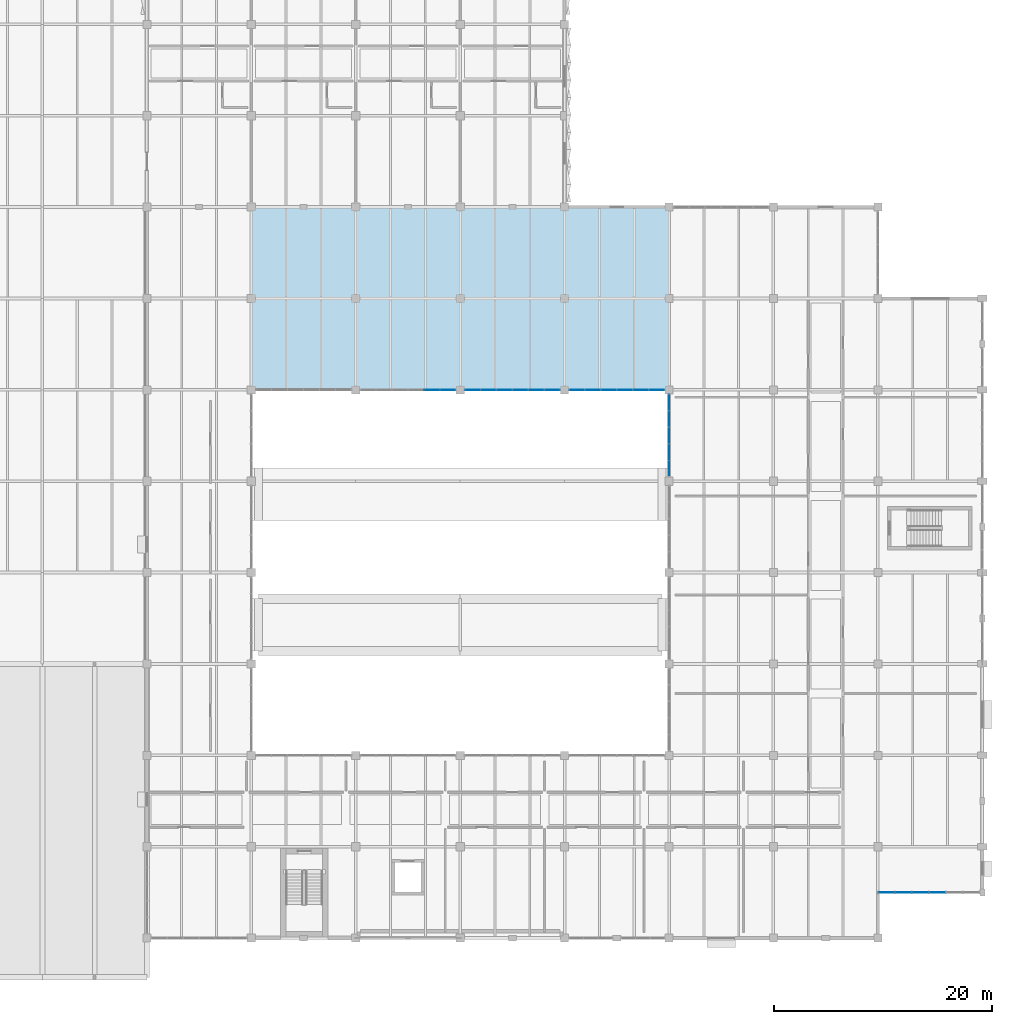
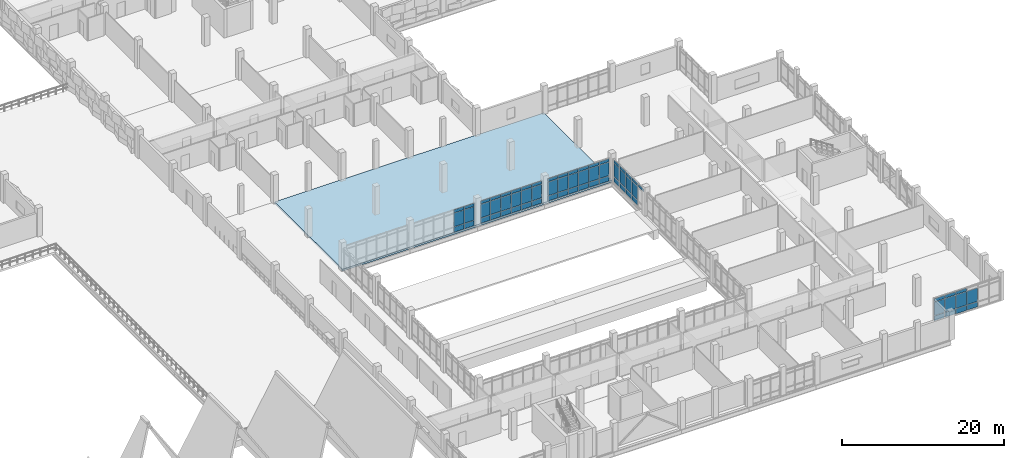
# One storey, part 44 of 86: 66 plates, 1 slab, 5 elements without a shape of their own.
"""IFC4 building model written with IfcOpenShell, lengths in metres."""

from ifc_helpers import new_model, si_unit, direction, frame, origin, origin_2d, place, context, subcontext, project, spatial, polyline, rectangle, outline, extrude, material, layer, layer_set, type_object, element, aggregate, save


model = new_model("IFC4")

# Units and contexts
model_context = context("Model", 3, precision=1e-05, world=origin(), true_north=direction((0.0, 1.0)))
body_context = subcontext(model_context, "Body", "Model", "MODEL_VIEW")
ifc_project = project(units=[si_unit("LENGTHUNIT", "METRE"), si_unit("AREAUNIT", "SQUARE_METRE"), si_unit("VOLUMEUNIT", "CUBIC_METRE"), si_unit("PLANEANGLEUNIT", "RADIAN"), si_unit("MASSUNIT", "GRAM", prefix="KILO")], contexts=[model_context])

# Site, building, storey
site_placement = place(None, origin())
site = spatial("IfcSite", under=ifc_project, at=site_placement, CompositionType="ELEMENT")
building_placement = place(site_placement, origin())
building = spatial("IfcBuilding", under=site, at=building_placement, Name="Oolite Switchyard Hospital", CompositionType="ELEMENT")
storey_placement = place(building_placement, frame((0.0, 0.0, 13.5)))
storey = spatial("IfcBuildingStorey", under=building, at=storey_placement, Name="L03", CompositionType="ELEMENT", Elevation=13.5)

# Curtain wall, plates
ifc_material_1 = material(Name="Thermally broken aluminum frame with laminated impact glazing", Category="aluminium")
curtain_wall_type_1 = type_object("IfcCurtainWallType", Name="CW-UNIT-96X43", PredefinedType="USERDEFINED", material=ifc_material_1)
curtain_wall_1_placement = place(storey_placement, origin())
curtain_wall_1 = element("IfcCurtainWall", 1, at=curtain_wall_1_placement, inside=storey, type_object=curtain_wall_type_1, Name="L03 Unitised Curtain Wall 337", ObjectType="UNITISED", PredefinedType="USERDEFINED")
ifc_material_2 = material(Name="Insulated fluoropolymer-coated aluminum spandrel panel", Category="aluminium")
ifc_layer_1 = layer(ifc_material_2, 0.054931640625)
ifc_layer_set_1 = layer_set([ifc_layer_1], Name="CW-PNL-SPN55")
plate_type_1 = type_object("IfcPlateType", Name="CW-PNL-SPN55", PredefinedType="CURTAIN_PANEL", material=ifc_layer_set_1)
plate_1_placement = place(storey_placement, frame((181.257568359375, 58.800048828125, 0.0751953125), z_axis=(0.0, 0.0, 1.0), x_axis=(-1.0, 0.0, 0.0)))
plate_1 = element("IfcPlate", 2, at=plate_1_placement, type_object=plate_type_1, Name="CW-04 panel 1.1", PredefinedType="CURTAIN_PANEL", context=body_context, shape_type="SweptSolid", body=[
    extrude(rectangle(XDim=1.364990234375, YDim=0.054931640625, at=origin_2d()), origin(), (0.0, 0.0, 1.0), 0.737548828125),
])
plate_2_placement = place(storey_placement, frame((181.257568359375, 58.800048828125, 0.8876953125), z_axis=(0.0, 0.0, 1.0), x_axis=(-1.0, 0.0, 0.0)))
plate_2 = element("IfcPlate", 3, at=plate_2_placement, type_object=plate_type_1, Name="CW-04 panel 1.2", PredefinedType="CURTAIN_PANEL", context=body_context, shape_type="SweptSolid", body=[
    extrude(rectangle(XDim=1.364990234375, YDim=0.054931640625, at=origin_2d()), origin(), (0.0, 0.0, 1.0), 2.014892578125),
])
plate_3_placement = place(storey_placement, frame((181.257568359375, 58.800048828125, 2.9775390625), z_axis=(0.0, 0.0, 1.0), x_axis=(-1.0, 0.0, 0.0)))
plate_3 = element("IfcPlate", 4, at=plate_3_placement, type_object=plate_type_1, Name="CW-04 panel 1.3", PredefinedType="CURTAIN_PANEL", context=body_context, shape_type="SweptSolid", body=[
    extrude(rectangle(XDim=1.364990234375, YDim=0.054931640625, at=origin_2d()), origin(), (0.0, 0.0, 1.0), 0.4375),
])
plate_4_placement = place(storey_placement, frame((179.804931640625, 58.800048828125, 0.0751953125), z_axis=(0.0, 0.0, 1.0), x_axis=(-1.0, 0.0, 0.0)))
plate_4 = element("IfcPlate", 5, at=plate_4_placement, type_object=plate_type_1, Name="CW-04 panel 2.1", PredefinedType="CURTAIN_PANEL", context=body_context, shape_type="SweptSolid", body=[
    extrude(rectangle(XDim=1.39990234375, YDim=0.054931640625, at=origin_2d()), origin(), (0.0, 0.0, 1.0), 0.737548828125),
])
plate_5_placement = place(storey_placement, frame((179.804931640625, 58.800048828125, 0.8876953125), z_axis=(0.0, 0.0, 1.0), x_axis=(-1.0, 0.0, 0.0)))
plate_5 = element("IfcPlate", 6, at=plate_5_placement, type_object=plate_type_1, Name="CW-04 panel 2.2", PredefinedType="CURTAIN_PANEL", context=body_context, shape_type="SweptSolid", body=[
    extrude(rectangle(XDim=1.39990234375, YDim=0.054931640625, at=origin_2d()), origin(), (0.0, 0.0, 1.0), 2.014892578125),
])
plate_6_placement = place(storey_placement, frame((179.804931640625, 58.800048828125, 2.9775390625), z_axis=(0.0, 0.0, 1.0), x_axis=(-1.0, 0.0, 0.0)))
plate_6 = element("IfcPlate", 7, at=plate_6_placement, type_object=plate_type_1, Name="CW-04 panel 2.3", PredefinedType="CURTAIN_PANEL", context=body_context, shape_type="SweptSolid", body=[
    extrude(rectangle(XDim=1.39990234375, YDim=0.054931640625, at=origin_2d()), origin(), (0.0, 0.0, 1.0), 0.4375),
])
plate_7_placement = place(storey_placement, frame((178.3349609375, 58.800048828125, 0.0751953125), z_axis=(0.0, 0.0, 1.0), x_axis=(-1.0, 0.0, 0.0)))
plate_7 = element("IfcPlate", 8, at=plate_7_placement, type_object=plate_type_1, Name="CW-04 panel 3.1", PredefinedType="CURTAIN_PANEL", context=body_context, shape_type="SweptSolid", body=[
    extrude(rectangle(XDim=1.39990234375, YDim=0.054931640625, at=origin_2d()), origin(), (0.0, 0.0, 1.0), 0.737548828125),
])
plate_8_placement = place(storey_placement, frame((178.3349609375, 58.800048828125, 0.8876953125), z_axis=(0.0, 0.0, 1.0), x_axis=(-1.0, 0.0, 0.0)))
plate_8 = element("IfcPlate", 9, at=plate_8_placement, type_object=plate_type_1, Name="CW-04 panel 3.2", PredefinedType="CURTAIN_PANEL", context=body_context, shape_type="SweptSolid", body=[
    extrude(rectangle(XDim=1.39990234375, YDim=0.054931640625, at=origin_2d()), origin(), (0.0, 0.0, 1.0), 2.014892578125),
])
plate_9_placement = place(storey_placement, frame((178.3349609375, 58.800048828125, 2.9775390625), z_axis=(0.0, 0.0, 1.0), x_axis=(-1.0, 0.0, 0.0)))
plate_9 = element("IfcPlate", 10, at=plate_9_placement, type_object=plate_type_1, Name="CW-04 panel 3.3", PredefinedType="CURTAIN_PANEL", context=body_context, shape_type="SweptSolid", body=[
    extrude(rectangle(XDim=1.39990234375, YDim=0.054931640625, at=origin_2d()), origin(), (0.0, 0.0, 1.0), 0.4375),
])
plate_10_placement = place(storey_placement, frame((176.864990234375, 58.800048828125, 0.0751953125), z_axis=(0.0, 0.0, 1.0), x_axis=(-1.0, 0.0, 0.0)))
plate_10 = element("IfcPlate", 11, at=plate_10_placement, type_object=plate_type_1, Name="CW-04 panel 4.1", PredefinedType="CURTAIN_PANEL", context=body_context, shape_type="SweptSolid", body=[
    extrude(rectangle(XDim=1.39990234375, YDim=0.054931640625, at=origin_2d()), origin(), (0.0, 0.0, 1.0), 0.737548828125),
])
plate_11_placement = place(storey_placement, frame((176.864990234375, 58.800048828125, 0.8876953125), z_axis=(0.0, 0.0, 1.0), x_axis=(-1.0, 0.0, 0.0)))
plate_11 = element("IfcPlate", 12, at=plate_11_placement, type_object=plate_type_1, Name="CW-04 panel 4.2", PredefinedType="CURTAIN_PANEL", context=body_context, shape_type="SweptSolid", body=[
    extrude(rectangle(XDim=1.39990234375, YDim=0.054931640625, at=origin_2d()), origin(), (0.0, 0.0, 1.0), 2.014892578125),
])
plate_12_placement = place(storey_placement, frame((176.864990234375, 58.800048828125, 2.9775390625), z_axis=(0.0, 0.0, 1.0), x_axis=(-1.0, 0.0, 0.0)))
plate_12 = element("IfcPlate", 13, at=plate_12_placement, type_object=plate_type_1, Name="CW-04 panel 4.3", PredefinedType="CURTAIN_PANEL", context=body_context, shape_type="SweptSolid", body=[
    extrude(rectangle(XDim=1.39990234375, YDim=0.054931640625, at=origin_2d()), origin(), (0.0, 0.0, 1.0), 0.4375),
])
plate_13_placement = place(storey_placement, frame((175.39501953125, 58.800048828125, 0.0751953125), z_axis=(0.0, 0.0, 1.0), x_axis=(-1.0, 0.0, 0.0)))
plate_13 = element("IfcPlate", 14, at=plate_13_placement, type_object=plate_type_1, Name="CW-04 panel 5.1", PredefinedType="CURTAIN_PANEL", context=body_context, shape_type="SweptSolid", body=[
    extrude(rectangle(XDim=1.39990234375, YDim=0.054931640625, at=origin_2d()), origin(), (0.0, 0.0, 1.0), 0.737548828125),
])
plate_14_placement = place(storey_placement, frame((175.39501953125, 58.800048828125, 0.8876953125), z_axis=(0.0, 0.0, 1.0), x_axis=(-1.0, 0.0, 0.0)))
plate_14 = element("IfcPlate", 15, at=plate_14_placement, type_object=plate_type_1, Name="CW-04 panel 5.2", PredefinedType="CURTAIN_PANEL", context=body_context, shape_type="SweptSolid", body=[
    extrude(rectangle(XDim=1.39990234375, YDim=0.054931640625, at=origin_2d()), origin(), (0.0, 0.0, 1.0), 2.014892578125),
])
plate_15_placement = place(storey_placement, frame((175.39501953125, 58.800048828125, 2.9775390625), z_axis=(0.0, 0.0, 1.0), x_axis=(-1.0, 0.0, 0.0)))
plate_15 = element("IfcPlate", 16, at=plate_15_placement, type_object=plate_type_1, Name="CW-04 panel 5.3", PredefinedType="CURTAIN_PANEL", context=body_context, shape_type="SweptSolid", body=[
    extrude(rectangle(XDim=1.39990234375, YDim=0.054931640625, at=origin_2d()), origin(), (0.0, 0.0, 1.0), 0.4375),
])
plate_16_placement = place(storey_placement, frame((173.9423828125, 58.800048828125, 0.0751953125), z_axis=(0.0, 0.0, 1.0), x_axis=(-1.0, 0.0, 0.0)))
plate_16 = element("IfcPlate", 17, at=plate_16_placement, type_object=plate_type_1, Name="CW-04 panel 6.1", PredefinedType="CURTAIN_PANEL", context=body_context, shape_type="SweptSolid", body=[
    extrude(rectangle(XDim=1.364990234375, YDim=0.054931640625, at=origin_2d()), origin(), (0.0, 0.0, 1.0), 0.737548828125),
])
plate_17_placement = place(storey_placement, frame((173.9423828125, 58.800048828125, 0.8876953125), z_axis=(0.0, 0.0, 1.0), x_axis=(-1.0, 0.0, 0.0)))
plate_17 = element("IfcPlate", 18, at=plate_17_placement, type_object=plate_type_1, Name="CW-04 panel 6.2", PredefinedType="CURTAIN_PANEL", context=body_context, shape_type="SweptSolid", body=[
    extrude(rectangle(XDim=1.364990234375, YDim=0.054931640625, at=origin_2d()), origin(), (0.0, 0.0, 1.0), 2.014892578125),
])
plate_18_placement = place(storey_placement, frame((173.9423828125, 58.800048828125, 2.9775390625), z_axis=(0.0, 0.0, 1.0), x_axis=(-1.0, 0.0, 0.0)))
plate_18 = element("IfcPlate", 19, at=plate_18_placement, type_object=plate_type_1, Name="CW-04 panel 6.3", PredefinedType="CURTAIN_PANEL", context=body_context, shape_type="SweptSolid", body=[
    extrude(rectangle(XDim=1.364990234375, YDim=0.054931640625, at=origin_2d()), origin(), (0.0, 0.0, 1.0), 0.4375),
])
aggregate(curtain_wall_1, [plate_1, plate_2, plate_3, plate_4, plate_5, plate_6, plate_7, plate_8, plate_9, plate_10, plate_11, plate_12, plate_13, plate_14, plate_15, plate_16, plate_17, plate_18])

curtain_wall_2_placement = place(storey_placement, origin())
curtain_wall_2 = element("IfcCurtainWall", 20, at=curtain_wall_2_placement, inside=storey, type_object=curtain_wall_type_1, Name="L03 Unitised Curtain Wall 329", ObjectType="UNITISED", PredefinedType="USERDEFINED")
ifc_layer_2 = layer(ifc_material_2, 0.070068359375)
ifc_layer_set_2 = layer_set([ifc_layer_2], Name="CW-PNL-SPN70")
plate_type_2 = type_object("IfcPlateType", Name="CW-PNL-SPN70", PredefinedType="CURTAIN_PANEL", material=ifc_layer_set_2)
plate_19_placement = place(storey_placement, frame((207.06005859375, 12.60009765625, 0.0751953125), z_axis=(0.0, 0.0, 1.0), x_axis=(-1.0, 0.0, 0.0)))
plate_19 = element("IfcPlate", 21, at=plate_19_placement, type_object=plate_type_2, Name="CW-04 panel 3.1", PredefinedType="CURTAIN_PANEL", context=body_context, shape_type="SweptSolid", body=[
    extrude(rectangle(XDim=1.485107421875, YDim=0.070068359375, at=origin_2d()), origin(), (0.0, 0.0, 1.0), 0.737548828125),
])
plate_20_placement = place(storey_placement, frame((207.06005859375, 12.60009765625, 0.8876953125), z_axis=(0.0, 0.0, 1.0), x_axis=(-1.0, 0.0, 0.0)))
plate_20 = element("IfcPlate", 22, at=plate_20_placement, type_object=plate_type_2, Name="CW-04 panel 3.2", PredefinedType="CURTAIN_PANEL", context=body_context, shape_type="SweptSolid", body=[
    extrude(rectangle(XDim=1.485107421875, YDim=0.070068359375, at=origin_2d()), origin(), (0.0, 0.0, 1.0), 2.014892578125),
])
plate_21_placement = place(storey_placement, frame((205.5, 12.60009765625, 0.0751953125), z_axis=(0.0, 0.0, 1.0), x_axis=(-1.0, 0.0, 0.0)))
plate_21 = element("IfcPlate", 23, at=plate_21_placement, type_object=plate_type_2, Name="CW-04 panel 4.1", PredefinedType="CURTAIN_PANEL", context=body_context, shape_type="SweptSolid", body=[
    extrude(rectangle(XDim=1.485107421875, YDim=0.070068359375, at=origin_2d()), origin(), (0.0, 0.0, 1.0), 0.737548828125),
])
plate_22_placement = place(storey_placement, frame((205.5, 12.60009765625, 0.8876953125), z_axis=(0.0, 0.0, 1.0), x_axis=(-1.0, 0.0, 0.0)))
plate_22 = element("IfcPlate", 24, at=plate_22_placement, type_object=plate_type_2, Name="CW-04 panel 4.2", PredefinedType="CURTAIN_PANEL", context=body_context, shape_type="SweptSolid", body=[
    extrude(rectangle(XDim=1.485107421875, YDim=0.070068359375, at=origin_2d()), origin(), (0.0, 0.0, 1.0), 2.014892578125),
])
plate_23_placement = place(storey_placement, frame((205.5, 12.60009765625, 2.9775390625), z_axis=(0.0, 0.0, 1.0), x_axis=(-1.0, 0.0, 0.0)))
plate_23 = element("IfcPlate", 25, at=plate_23_placement, type_object=plate_type_2, Name="CW-04 panel 4.3", PredefinedType="CURTAIN_PANEL", context=body_context, shape_type="SweptSolid", body=[
    extrude(rectangle(XDim=1.485107421875, YDim=0.070068359375, at=origin_2d()), origin(), (0.0, 0.0, 1.0), 0.4375),
])
plate_24_placement = place(storey_placement, frame((203.93994140625, 12.60009765625, 0.0751953125), z_axis=(0.0, 0.0, 1.0), x_axis=(-1.0, 0.0, 0.0)))
plate_24 = element("IfcPlate", 26, at=plate_24_placement, type_object=plate_type_2, Name="CW-04 panel 5.1", PredefinedType="CURTAIN_PANEL", context=body_context, shape_type="SweptSolid", body=[
    extrude(rectangle(XDim=1.485107421875, YDim=0.070068359375, at=origin_2d()), origin(), (0.0, 0.0, 1.0), 0.737548828125),
])
plate_25_placement = place(storey_placement, frame((203.93994140625, 12.60009765625, 0.8876953125), z_axis=(0.0, 0.0, 1.0), x_axis=(-1.0, 0.0, 0.0)))
plate_25 = element("IfcPlate", 27, at=plate_25_placement, type_object=plate_type_2, Name="CW-04 panel 5.2", PredefinedType="CURTAIN_PANEL", context=body_context, shape_type="SweptSolid", body=[
    extrude(rectangle(XDim=1.485107421875, YDim=0.070068359375, at=origin_2d()), origin(), (0.0, 0.0, 1.0), 2.014892578125),
])
plate_26_placement = place(storey_placement, frame((203.93994140625, 12.60009765625, 2.9775390625), z_axis=(0.0, 0.0, 1.0), x_axis=(-1.0, 0.0, 0.0)))
plate_26 = element("IfcPlate", 28, at=plate_26_placement, type_object=plate_type_2, Name="CW-04 panel 5.3", PredefinedType="CURTAIN_PANEL", context=body_context, shape_type="SweptSolid", body=[
    extrude(rectangle(XDim=1.485107421875, YDim=0.070068359375, at=origin_2d()), origin(), (0.0, 0.0, 1.0), 0.4375),
])
plate_27_placement = place(storey_placement, frame((202.398681640625, 12.60009765625, 0.0751953125), z_axis=(0.0, 0.0, 1.0), x_axis=(-1.0, 0.0, 0.0)))
plate_27 = element("IfcPlate", 29, at=plate_27_placement, type_object=plate_type_2, Name="CW-04 panel 6.1", PredefinedType="CURTAIN_PANEL", context=body_context, shape_type="SweptSolid", body=[
    extrude(rectangle(XDim=1.447509765625, YDim=0.070068359375, at=origin_2d()), origin(), (0.0, 0.0, 1.0), 0.737548828125),
])
plate_28_placement = place(storey_placement, frame((202.398681640625, 12.60009765625, 0.8876953125), z_axis=(0.0, 0.0, 1.0), x_axis=(-1.0, 0.0, 0.0)))
plate_28 = element("IfcPlate", 30, at=plate_28_placement, type_object=plate_type_2, Name="CW-04 panel 6.2", PredefinedType="CURTAIN_PANEL", context=body_context, shape_type="SweptSolid", body=[
    extrude(rectangle(XDim=1.447509765625, YDim=0.070068359375, at=origin_2d()), origin(), (0.0, 0.0, 1.0), 2.014892578125),
])
plate_29_placement = place(storey_placement, frame((202.398681640625, 12.60009765625, 2.9775390625), z_axis=(0.0, 0.0, 1.0), x_axis=(-1.0, 0.0, 0.0)))
plate_29 = element("IfcPlate", 31, at=plate_29_placement, type_object=plate_type_2, Name="CW-04 panel 6.3", PredefinedType="CURTAIN_PANEL", context=body_context, shape_type="SweptSolid", body=[
    extrude(rectangle(XDim=1.447509765625, YDim=0.070068359375, at=origin_2d()), origin(), (0.0, 0.0, 1.0), 0.4375),
])
aggregate(curtain_wall_2, [plate_19, plate_20, plate_21, plate_22, plate_23, plate_24, plate_25, plate_26, plate_27, plate_28, plate_29])

curtain_wall_type_2 = type_object("IfcCurtainWallType", Name="CW-UNIT-84X43", PredefinedType="USERDEFINED", material=ifc_material_1)
curtain_wall_3_placement = place(storey_placement, origin())
curtain_wall_3 = element("IfcCurtainWall", 32, at=curtain_wall_3_placement, inside=storey, type_object=curtain_wall_type_2, Name="L03 Unitised Curtain Wall 347", ObjectType="UNITISED", PredefinedType="USERDEFINED")
ifc_material_3 = material(Name="Laminated hurricane-impact insulated glazing unit", Category="glass")
ifc_layer_3 = layer(ifc_material_3, 0.028076171875)
ifc_layer_set_3 = layer_set([ifc_layer_3], Name="CW-PNL-VIS28")
plate_type_3 = type_object("IfcPlateType", Name="CW-PNL-VIS28", PredefinedType="CURTAIN_PANEL", material=ifc_layer_set_3)
plate_30_placement = place(storey_placement, frame((182.39990234375, 51.57080078125, 2.9775390625), z_axis=(0.0, 0.0, 1.0), x_axis=(0.0, 1.0, 0.0)))
plate_30 = element("IfcPlate", 33, at=plate_30_placement, type_object=plate_type_3, Name="CW-09 panel 1.3", PredefinedType="CURTAIN_PANEL", context=body_context, shape_type="SweptSolid", body=[
    extrude(rectangle(XDim=1.41162109375, YDim=0.028076171875, at=origin_2d()), origin(), (0.0, 0.0, 1.0), 0.4375),
])
plate_31_placement = place(storey_placement, frame((182.39990234375, 53.075927734375, 0.0751953125), z_axis=(0.0, 0.0, 1.0), x_axis=(0.0, 1.0, 0.0)))
plate_31 = element("IfcPlate", 34, at=plate_31_placement, type_object=plate_type_3, Name="CW-09 panel 2.1", PredefinedType="CURTAIN_PANEL", context=body_context, shape_type="SweptSolid", body=[
    extrude(rectangle(XDim=1.448974609375, YDim=0.028076171875, at=origin_2d()), origin(), (0.0, 0.0, 1.0), 0.737548828125),
])
plate_32_placement = place(storey_placement, frame((182.39990234375, 53.075927734375, 0.8876953125), z_axis=(0.0, 0.0, 1.0), x_axis=(0.0, 1.0, 0.0)))
plate_32 = element("IfcPlate", 35, at=plate_32_placement, type_object=plate_type_3, Name="CW-09 panel 2.2", PredefinedType="CURTAIN_PANEL", context=body_context, shape_type="SweptSolid", body=[
    extrude(rectangle(XDim=1.448974609375, YDim=0.028076171875, at=origin_2d()), origin(), (0.0, 0.0, 1.0), 2.014892578125),
])
plate_33_placement = place(storey_placement, frame((182.39990234375, 53.075927734375, 2.9775390625), z_axis=(0.0, 0.0, 1.0), x_axis=(0.0, 1.0, 0.0)))
plate_33 = element("IfcPlate", 36, at=plate_33_placement, type_object=plate_type_3, Name="CW-09 panel 2.3", PredefinedType="CURTAIN_PANEL", context=body_context, shape_type="SweptSolid", body=[
    extrude(rectangle(XDim=1.448974609375, YDim=0.028076171875, at=origin_2d()), origin(), (0.0, 0.0, 1.0), 0.4375),
])
plate_34_placement = place(storey_placement, frame((182.39990234375, 54.60009765625, 0.0751953125), z_axis=(0.0, 0.0, 1.0), x_axis=(0.0, 1.0, 0.0)))
plate_34 = element("IfcPlate", 37, at=plate_34_placement, type_object=plate_type_3, Name="CW-09 panel 3.1", PredefinedType="CURTAIN_PANEL", context=body_context, shape_type="SweptSolid", body=[
    extrude(rectangle(XDim=1.448974609375, YDim=0.028076171875, at=origin_2d()), origin(), (0.0, 0.0, 1.0), 0.737548828125),
])
plate_35_placement = place(storey_placement, frame((182.39990234375, 54.60009765625, 0.8876953125), z_axis=(0.0, 0.0, 1.0), x_axis=(0.0, 1.0, 0.0)))
plate_35 = element("IfcPlate", 38, at=plate_35_placement, type_object=plate_type_3, Name="CW-09 panel 3.2", PredefinedType="CURTAIN_PANEL", context=body_context, shape_type="SweptSolid", body=[
    extrude(rectangle(XDim=1.448974609375, YDim=0.028076171875, at=origin_2d()), origin(), (0.0, 0.0, 1.0), 2.014892578125),
])
plate_36_placement = place(storey_placement, frame((182.39990234375, 54.60009765625, 2.9775390625), z_axis=(0.0, 0.0, 1.0), x_axis=(0.0, 1.0, 0.0)))
plate_36 = element("IfcPlate", 39, at=plate_36_placement, type_object=plate_type_3, Name="CW-09 panel 3.3", PredefinedType="CURTAIN_PANEL", context=body_context, shape_type="SweptSolid", body=[
    extrude(rectangle(XDim=1.448974609375, YDim=0.028076171875, at=origin_2d()), origin(), (0.0, 0.0, 1.0), 0.4375),
])
plate_37_placement = place(storey_placement, frame((182.39990234375, 56.1240234375, 0.0751953125), z_axis=(0.0, 0.0, 1.0), x_axis=(0.0, 1.0, 0.0)))
plate_37 = element("IfcPlate", 40, at=plate_37_placement, type_object=plate_type_3, Name="CW-09 panel 4.1", PredefinedType="CURTAIN_PANEL", context=body_context, shape_type="SweptSolid", body=[
    extrude(rectangle(XDim=1.448974609375, YDim=0.028076171875, at=origin_2d()), origin(), (0.0, 0.0, 1.0), 0.737548828125),
])
plate_38_placement = place(storey_placement, frame((182.39990234375, 56.1240234375, 0.8876953125), z_axis=(0.0, 0.0, 1.0), x_axis=(0.0, 1.0, 0.0)))
plate_38 = element("IfcPlate", 41, at=plate_38_placement, type_object=plate_type_3, Name="CW-09 panel 4.2", PredefinedType="CURTAIN_PANEL", context=body_context, shape_type="SweptSolid", body=[
    extrude(rectangle(XDim=1.448974609375, YDim=0.028076171875, at=origin_2d()), origin(), (0.0, 0.0, 1.0), 2.014892578125),
])
plate_39_placement = place(storey_placement, frame((182.39990234375, 56.1240234375, 2.9775390625), z_axis=(0.0, 0.0, 1.0), x_axis=(0.0, 1.0, 0.0)))
plate_39 = element("IfcPlate", 42, at=plate_39_placement, type_object=plate_type_3, Name="CW-09 panel 4.3", PredefinedType="CURTAIN_PANEL", context=body_context, shape_type="SweptSolid", body=[
    extrude(rectangle(XDim=1.448974609375, YDim=0.028076171875, at=origin_2d()), origin(), (0.0, 0.0, 1.0), 0.4375),
])
plate_40_placement = place(storey_placement, frame((182.39990234375, 57.629150390625, 0.0751953125), z_axis=(0.0, 0.0, 1.0), x_axis=(0.0, 1.0, 0.0)))
plate_40 = element("IfcPlate", 43, at=plate_40_placement, type_object=plate_type_3, Name="CW-09 panel 5.1", PredefinedType="CURTAIN_PANEL", context=body_context, shape_type="SweptSolid", body=[
    extrude(rectangle(XDim=1.41162109375, YDim=0.028076171875, at=origin_2d()), origin(), (0.0, 0.0, 1.0), 0.737548828125),
])
plate_41_placement = place(storey_placement, frame((182.39990234375, 57.629150390625, 0.8876953125), z_axis=(0.0, 0.0, 1.0), x_axis=(0.0, 1.0, 0.0)))
plate_41 = element("IfcPlate", 44, at=plate_41_placement, type_object=plate_type_3, Name="CW-09 panel 5.2", PredefinedType="CURTAIN_PANEL", context=body_context, shape_type="SweptSolid", body=[
    extrude(rectangle(XDim=1.41162109375, YDim=0.028076171875, at=origin_2d()), origin(), (0.0, 0.0, 1.0), 2.014892578125),
])
plate_42_placement = place(storey_placement, frame((182.39990234375, 57.629150390625, 2.9775390625), z_axis=(0.0, 0.0, 1.0), x_axis=(0.0, 1.0, 0.0)))
plate_42 = element("IfcPlate", 45, at=plate_42_placement, type_object=plate_type_3, Name="CW-09 panel 5.3", PredefinedType="CURTAIN_PANEL", context=body_context, shape_type="SweptSolid", body=[
    extrude(rectangle(XDim=1.41162109375, YDim=0.028076171875, at=origin_2d()), origin(), (0.0, 0.0, 1.0), 0.4375),
])
aggregate(curtain_wall_3, [plate_30, plate_31, plate_32, plate_33, plate_34, plate_35, plate_36, plate_37, plate_38, plate_39, plate_40, plate_41, plate_42])

curtain_wall_4_placement = place(storey_placement, origin())
curtain_wall_4 = element("IfcCurtainWall", 46, at=curtain_wall_4_placement, inside=storey, type_object=curtain_wall_type_1, Name="L03 Unitised Curtain Wall 335", ObjectType="UNITISED", PredefinedType="USERDEFINED")
ifc_layer_4 = layer(ifc_material_3, 0.031982421875)
ifc_layer_set_4 = layer_set([ifc_layer_4], Name="CW-PNL-VIS32")
plate_type_4 = type_object("IfcPlateType", Name="CW-PNL-VIS32", PredefinedType="CURTAIN_PANEL", material=ifc_layer_set_4)
plate_43_placement = place(storey_placement, frame((171.65625, 58.800048828125, 0.0751953125), z_axis=(0.0, 0.0, 1.0), x_axis=(-1.0, 0.0, 0.0)))
plate_43 = element("IfcPlate", 47, at=plate_43_placement, type_object=plate_type_4, Name="CW-04 panel 1.1", PredefinedType="CURTAIN_PANEL", context=body_context, shape_type="SweptSolid", body=[
    extrude(rectangle(XDim=1.357421875, YDim=0.031982421875, at=origin_2d()), origin(), (0.0, 0.0, 1.0), 0.737548828125),
])
plate_44_placement = place(storey_placement, frame((171.65625, 58.800048828125, 0.8876953125), z_axis=(0.0, 0.0, 1.0), x_axis=(-1.0, 0.0, 0.0)))
plate_44 = element("IfcPlate", 48, at=plate_44_placement, type_object=plate_type_4, Name="CW-04 panel 1.2", PredefinedType="CURTAIN_PANEL", context=body_context, shape_type="SweptSolid", body=[
    extrude(rectangle(XDim=1.357421875, YDim=0.031982421875, at=origin_2d()), origin(), (0.0, 0.0, 1.0), 2.014892578125),
])
plate_45_placement = place(storey_placement, frame((171.65625, 58.800048828125, 2.9775390625), z_axis=(0.0, 0.0, 1.0), x_axis=(-1.0, 0.0, 0.0)))
plate_45 = element("IfcPlate", 49, at=plate_45_placement, type_object=plate_type_4, Name="CW-04 panel 1.3", PredefinedType="CURTAIN_PANEL", context=body_context, shape_type="SweptSolid", body=[
    extrude(rectangle(XDim=1.357421875, YDim=0.031982421875, at=origin_2d()), origin(), (0.0, 0.0, 1.0), 0.4375),
])
plate_46_placement = place(storey_placement, frame((170.205078125, 58.800048828125, 0.0751953125), z_axis=(0.0, 0.0, 1.0), x_axis=(-1.0, 0.0, 0.0)))
plate_46 = element("IfcPlate", 50, at=plate_46_placement, type_object=plate_type_4, Name="CW-04 panel 2.1", PredefinedType="CURTAIN_PANEL", context=body_context, shape_type="SweptSolid", body=[
    extrude(rectangle(XDim=1.39501953125, YDim=0.031982421875, at=origin_2d()), origin(), (0.0, 0.0, 1.0), 0.737548828125),
])
plate_47_placement = place(storey_placement, frame((170.205078125, 58.800048828125, 0.8876953125), z_axis=(0.0, 0.0, 1.0), x_axis=(-1.0, 0.0, 0.0)))
plate_47 = element("IfcPlate", 51, at=plate_47_placement, type_object=plate_type_4, Name="CW-04 panel 2.2", PredefinedType="CURTAIN_PANEL", context=body_context, shape_type="SweptSolid", body=[
    extrude(rectangle(XDim=1.39501953125, YDim=0.031982421875, at=origin_2d()), origin(), (0.0, 0.0, 1.0), 2.014892578125),
])
plate_48_placement = place(storey_placement, frame((170.205078125, 58.800048828125, 2.9775390625), z_axis=(0.0, 0.0, 1.0), x_axis=(-1.0, 0.0, 0.0)))
plate_48 = element("IfcPlate", 52, at=plate_48_placement, type_object=plate_type_4, Name="CW-04 panel 2.3", PredefinedType="CURTAIN_PANEL", context=body_context, shape_type="SweptSolid", body=[
    extrude(rectangle(XDim=1.39501953125, YDim=0.031982421875, at=origin_2d()), origin(), (0.0, 0.0, 1.0), 0.4375),
])
plate_49_placement = place(storey_placement, frame((168.735107421875, 58.800048828125, 0.0751953125), z_axis=(0.0, 0.0, 1.0), x_axis=(-1.0, 0.0, 0.0)))
plate_49 = element("IfcPlate", 53, at=plate_49_placement, type_object=plate_type_4, Name="CW-04 panel 3.1", PredefinedType="CURTAIN_PANEL", context=body_context, shape_type="SweptSolid", body=[
    extrude(rectangle(XDim=1.39501953125, YDim=0.031982421875, at=origin_2d()), origin(), (0.0, 0.0, 1.0), 0.737548828125),
])
plate_50_placement = place(storey_placement, frame((168.735107421875, 58.800048828125, 0.8876953125), z_axis=(0.0, 0.0, 1.0), x_axis=(-1.0, 0.0, 0.0)))
plate_50 = element("IfcPlate", 54, at=plate_50_placement, type_object=plate_type_4, Name="CW-04 panel 3.2", PredefinedType="CURTAIN_PANEL", context=body_context, shape_type="SweptSolid", body=[
    extrude(rectangle(XDim=1.39501953125, YDim=0.031982421875, at=origin_2d()), origin(), (0.0, 0.0, 1.0), 2.014892578125),
])
plate_51_placement = place(storey_placement, frame((168.735107421875, 58.800048828125, 2.9775390625), z_axis=(0.0, 0.0, 1.0), x_axis=(-1.0, 0.0, 0.0)))
plate_51 = element("IfcPlate", 55, at=plate_51_placement, type_object=plate_type_4, Name="CW-04 panel 3.3", PredefinedType="CURTAIN_PANEL", context=body_context, shape_type="SweptSolid", body=[
    extrude(rectangle(XDim=1.39501953125, YDim=0.031982421875, at=origin_2d()), origin(), (0.0, 0.0, 1.0), 0.4375),
])
plate_52_placement = place(storey_placement, frame((167.264892578125, 58.800048828125, 0.0751953125), z_axis=(0.0, 0.0, 1.0), x_axis=(-1.0, 0.0, 0.0)))
plate_52 = element("IfcPlate", 56, at=plate_52_placement, type_object=plate_type_4, Name="CW-04 panel 4.1", PredefinedType="CURTAIN_PANEL", context=body_context, shape_type="SweptSolid", body=[
    extrude(rectangle(XDim=1.39501953125, YDim=0.031982421875, at=origin_2d()), origin(), (0.0, 0.0, 1.0), 0.737548828125),
])
plate_53_placement = place(storey_placement, frame((167.264892578125, 58.800048828125, 0.8876953125), z_axis=(0.0, 0.0, 1.0), x_axis=(-1.0, 0.0, 0.0)))
plate_53 = element("IfcPlate", 57, at=plate_53_placement, type_object=plate_type_4, Name="CW-04 panel 4.2", PredefinedType="CURTAIN_PANEL", context=body_context, shape_type="SweptSolid", body=[
    extrude(rectangle(XDim=1.39501953125, YDim=0.031982421875, at=origin_2d()), origin(), (0.0, 0.0, 1.0), 2.014892578125),
])
plate_54_placement = place(storey_placement, frame((167.264892578125, 58.800048828125, 2.9775390625), z_axis=(0.0, 0.0, 1.0), x_axis=(-1.0, 0.0, 0.0)))
plate_54 = element("IfcPlate", 58, at=plate_54_placement, type_object=plate_type_4, Name="CW-04 panel 4.3", PredefinedType="CURTAIN_PANEL", context=body_context, shape_type="SweptSolid", body=[
    extrude(rectangle(XDim=1.39501953125, YDim=0.031982421875, at=origin_2d()), origin(), (0.0, 0.0, 1.0), 0.4375),
])
plate_55_placement = place(storey_placement, frame((165.794921875, 58.800048828125, 0.0751953125), z_axis=(0.0, 0.0, 1.0), x_axis=(-1.0, 0.0, 0.0)))
plate_55 = element("IfcPlate", 59, at=plate_55_placement, type_object=plate_type_4, Name="CW-04 panel 5.1", PredefinedType="CURTAIN_PANEL", context=body_context, shape_type="SweptSolid", body=[
    extrude(rectangle(XDim=1.39501953125, YDim=0.031982421875, at=origin_2d()), origin(), (0.0, 0.0, 1.0), 0.737548828125),
])
plate_56_placement = place(storey_placement, frame((165.794921875, 58.800048828125, 0.8876953125), z_axis=(0.0, 0.0, 1.0), x_axis=(-1.0, 0.0, 0.0)))
plate_56 = element("IfcPlate", 60, at=plate_56_placement, type_object=plate_type_4, Name="CW-04 panel 5.2", PredefinedType="CURTAIN_PANEL", context=body_context, shape_type="SweptSolid", body=[
    extrude(rectangle(XDim=1.39501953125, YDim=0.031982421875, at=origin_2d()), origin(), (0.0, 0.0, 1.0), 2.014892578125),
])
plate_57_placement = place(storey_placement, frame((165.794921875, 58.800048828125, 2.9775390625), z_axis=(0.0, 0.0, 1.0), x_axis=(-1.0, 0.0, 0.0)))
plate_57 = element("IfcPlate", 61, at=plate_57_placement, type_object=plate_type_4, Name="CW-04 panel 5.3", PredefinedType="CURTAIN_PANEL", context=body_context, shape_type="SweptSolid", body=[
    extrude(rectangle(XDim=1.39501953125, YDim=0.031982421875, at=origin_2d()), origin(), (0.0, 0.0, 1.0), 0.4375),
])
plate_58_placement = place(storey_placement, frame((164.34375, 58.800048828125, 0.0751953125), z_axis=(0.0, 0.0, 1.0), x_axis=(-1.0, 0.0, 0.0)))
plate_58 = element("IfcPlate", 62, at=plate_58_placement, type_object=plate_type_4, Name="CW-04 panel 6.1", PredefinedType="CURTAIN_PANEL", context=body_context, shape_type="SweptSolid", body=[
    extrude(rectangle(XDim=1.357421875, YDim=0.031982421875, at=origin_2d()), origin(), (0.0, 0.0, 1.0), 0.737548828125),
])
plate_59_placement = place(storey_placement, frame((164.34375, 58.800048828125, 0.8876953125), z_axis=(0.0, 0.0, 1.0), x_axis=(-1.0, 0.0, 0.0)))
plate_59 = element("IfcPlate", 63, at=plate_59_placement, type_object=plate_type_4, Name="CW-04 panel 6.2", PredefinedType="CURTAIN_PANEL", context=body_context, shape_type="SweptSolid", body=[
    extrude(rectangle(XDim=1.357421875, YDim=0.031982421875, at=origin_2d()), origin(), (0.0, 0.0, 1.0), 2.014892578125),
])
plate_60_placement = place(storey_placement, frame((164.34375, 58.800048828125, 2.9775390625), z_axis=(0.0, 0.0, 1.0), x_axis=(-1.0, 0.0, 0.0)))
plate_60 = element("IfcPlate", 64, at=plate_60_placement, type_object=plate_type_4, Name="CW-04 panel 6.3", PredefinedType="CURTAIN_PANEL", context=body_context, shape_type="SweptSolid", body=[
    extrude(rectangle(XDim=1.357421875, YDim=0.031982421875, at=origin_2d()), origin(), (0.0, 0.0, 1.0), 0.4375),
])
aggregate(curtain_wall_4, [plate_43, plate_44, plate_45, plate_46, plate_47, plate_48, plate_49, plate_50, plate_51, plate_52, plate_53, plate_54, plate_55, plate_56, plate_57, plate_58, plate_59, plate_60])

curtain_wall_5_placement = place(storey_placement, origin())
curtain_wall_5 = element("IfcCurtainWall", 65, at=curtain_wall_5_placement, inside=storey, type_object=curtain_wall_type_1, Name="L03 Unitised Curtain Wall 336", ObjectType="UNITISED", PredefinedType="USERDEFINED")
ifc_layer_5 = layer(ifc_material_3, 0.035888671875)
ifc_layer_set_5 = layer_set([ifc_layer_5], Name="CW-PNL-VIS36")
plate_type_5 = type_object("IfcPlateType", Name="CW-PNL-VIS36", PredefinedType="CURTAIN_PANEL", material=ifc_layer_set_5)
plate_61_placement = place(storey_placement, frame((162.06005859375, 58.800048828125, 0.06005859375), z_axis=(0.0, 0.0, 1.0), x_axis=(-1.0, 0.0, 0.0)))
plate_61 = element("IfcPlate", 66, at=plate_61_placement, type_object=plate_type_5, Name="CW-04 panel 1.1", PredefinedType="CURTAIN_PANEL", context=body_context, shape_type="SweptSolid", body=[
    extrude(rectangle(XDim=1.3798828125, YDim=0.035888671875, at=origin_2d()), origin(), (0.0, 0.0, 1.0), 0.760009765625),
])
plate_62_placement = place(storey_placement, frame((162.06005859375, 58.800048828125, 0.8798828125), z_axis=(0.0, 0.0, 1.0), x_axis=(-1.0, 0.0, 0.0)))
plate_62 = element("IfcPlate", 67, at=plate_62_placement, type_object=plate_type_5, Name="CW-04 panel 1.2", PredefinedType="CURTAIN_PANEL", context=body_context, shape_type="SweptSolid", body=[
    extrude(rectangle(XDim=1.3798828125, YDim=0.035888671875, at=origin_2d()), origin(), (0.0, 0.0, 1.0), 2.030029296875),
])
plate_63_placement = place(storey_placement, frame((162.06005859375, 58.800048828125, 2.969970703125), z_axis=(0.0, 0.0, 1.0), x_axis=(-1.0, 0.0, 0.0)))
plate_63 = element("IfcPlate", 68, at=plate_63_placement, type_object=plate_type_5, Name="CW-04 panel 1.3", PredefinedType="CURTAIN_PANEL", context=body_context, shape_type="SweptSolid", body=[
    extrude(rectangle(XDim=1.3798828125, YDim=0.035888671875, at=origin_2d()), origin(), (0.0, 0.0, 1.0), 0.4599609375),
])
plate_64_placement = place(storey_placement, frame((160.60498046875, 58.800048828125, 0.06005859375), z_axis=(0.0, 0.0, 1.0), x_axis=(-1.0, 0.0, 0.0)))
plate_64 = element("IfcPlate", 69, at=plate_64_placement, type_object=plate_type_5, Name="CW-04 panel 2.1", PredefinedType="CURTAIN_PANEL", context=body_context, shape_type="SweptSolid", body=[
    extrude(rectangle(XDim=1.409912109375, YDim=0.035888671875, at=origin_2d()), origin(), (0.0, 0.0, 1.0), 0.760009765625),
])
plate_65_placement = place(storey_placement, frame((160.60498046875, 58.800048828125, 0.8798828125), z_axis=(0.0, 0.0, 1.0), x_axis=(-1.0, 0.0, 0.0)))
plate_65 = element("IfcPlate", 70, at=plate_65_placement, type_object=plate_type_5, Name="CW-04 panel 2.2", PredefinedType="CURTAIN_PANEL", context=body_context, shape_type="SweptSolid", body=[
    extrude(rectangle(XDim=1.409912109375, YDim=0.035888671875, at=origin_2d()), origin(), (0.0, 0.0, 1.0), 2.030029296875),
])
plate_66_placement = place(storey_placement, frame((160.60498046875, 58.800048828125, 2.969970703125), z_axis=(0.0, 0.0, 1.0), x_axis=(-1.0, 0.0, 0.0)))
plate_66 = element("IfcPlate", 71, at=plate_66_placement, type_object=plate_type_5, Name="CW-04 panel 2.3", PredefinedType="CURTAIN_PANEL", context=body_context, shape_type="SweptSolid", body=[
    extrude(rectangle(XDim=1.409912109375, YDim=0.035888671875, at=origin_2d()), origin(), (0.0, 0.0, 1.0), 0.4599609375),
])
aggregate(curtain_wall_5, [plate_61, plate_62, plate_63, plate_64, plate_65, plate_66])

# Slab
ifc_material_4 = material(Name="Concrete C40/50", Category="concrete")
ifc_layer_6 = layer(ifc_material_4, 0.27490234375)
ifc_layer_set_6 = layer_set([ifc_layer_6], Name="SLB-FLR-275")
slab_type = type_object("IfcSlabType", Name="SLB-FLR-275", PredefinedType="FLOOR", material=ifc_layer_set_6)
slab_placement = place(storey_placement, frame((0.0, 0.0, -0.27490234375)))
element("IfcSlab", 72, at=slab_placement, inside=storey, type_object=slab_type, Name="L03 V6 Slab V6N", PredefinedType="FLOOR", context=body_context, shape_type="SweptSolid", body=[
    extrude(outline(polyline([(144.0, 58.800048828125), (182.39990234375, 58.800048828125), (182.39990234375, 75.60009765625), (144.0, 75.60009765625), (144.0, 58.800048828125)])), origin(), (0.0, 0.0, 1.0), 0.27490234375),
])

save(model, "model.ifc")
